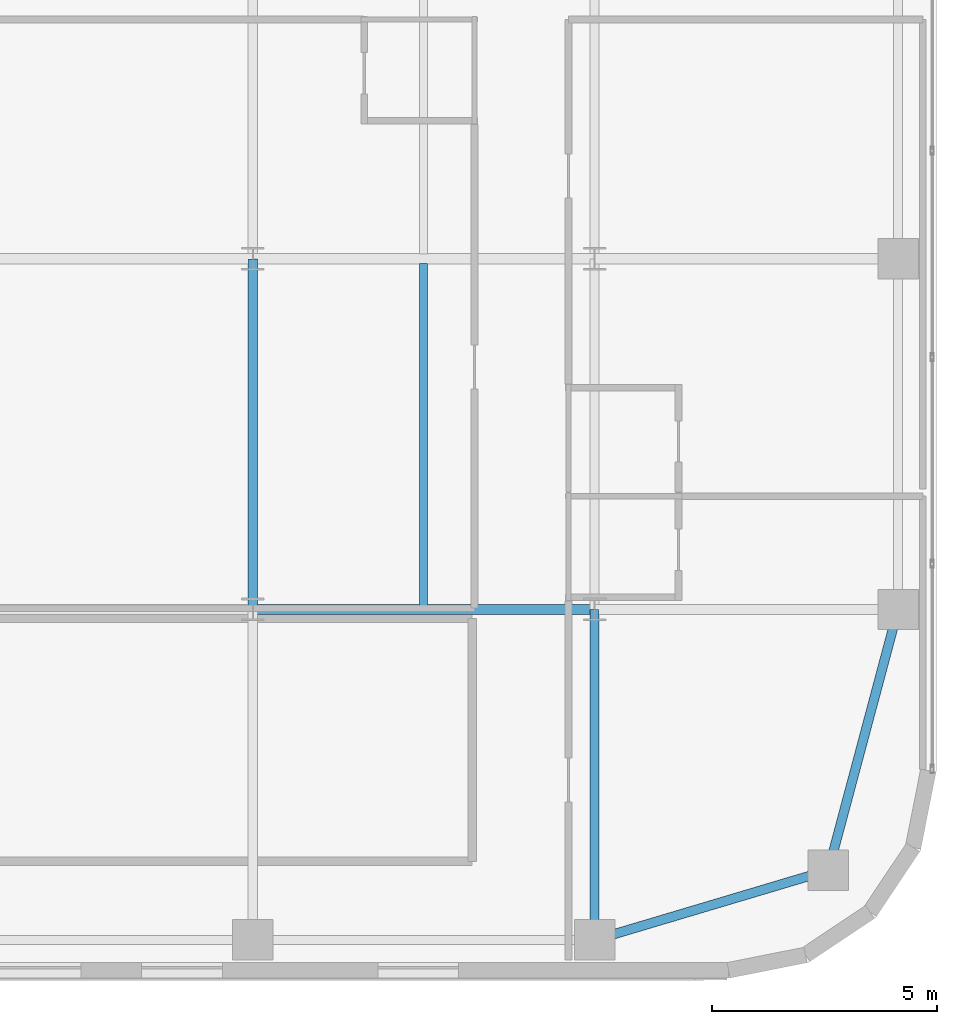
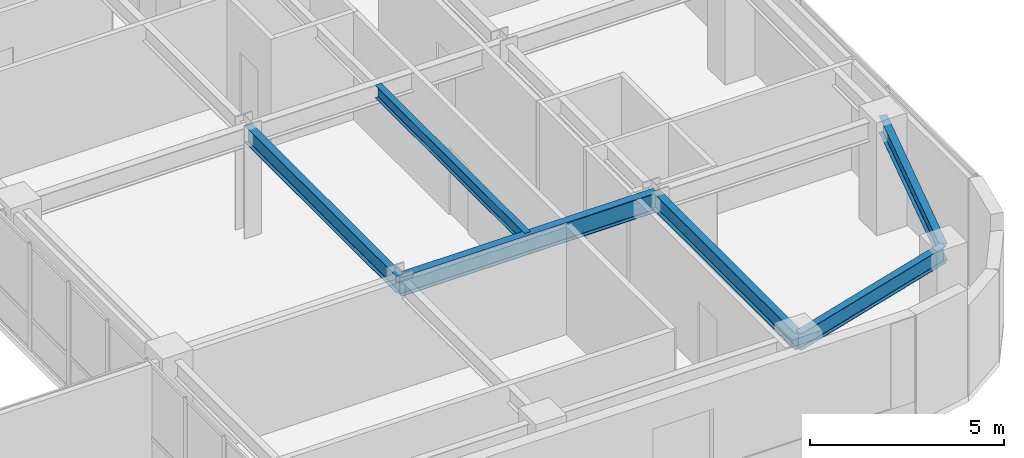
# One storey, part 11 of 31: 6 beams.
"""IFC4 building model written with IfcOpenShell, lengths in metres."""

from ifc_helpers import new_model, si_unit, direction, frame, origin, origin_2d, place, context, subcontext, project, spatial, i_section, extrude, source, transform, mapped, material, material_profile, profile_set, type_object, type_shapes, element, save


model = new_model("IFC4")

# Units and contexts
model_context = context("Model", 3, precision=1e-05, world=origin(), true_north=direction((0.0, 1.0)))
body_context = subcontext(model_context, "Body", "Model", "MODEL_VIEW")
ifc_project = project(units=[si_unit("LENGTHUNIT", "METRE"), si_unit("AREAUNIT", "SQUARE_METRE"), si_unit("VOLUMEUNIT", "CUBIC_METRE"), si_unit("PLANEANGLEUNIT", "RADIAN"), si_unit("MASSUNIT", "GRAM", prefix="KILO")], contexts=[model_context])

# Site, building, storey
site_placement = place(None, origin())
site = spatial("IfcSite", under=ifc_project, at=site_placement, CompositionType="ELEMENT")
building_placement = place(site_placement, origin())
building = spatial("IfcBuilding", under=site, at=building_placement, Name="Tolvann Quenvar Hotel", CompositionType="ELEMENT")
storey_placement = place(building_placement, frame((0.0, 0.0, 125.75)))
storey = spatial("IfcBuildingStorey", under=building, at=storey_placement, Name="L32", CompositionType="ELEMENT", Elevation=125.75)

# Beams
ifc_material = material(Name="Steel Grade 350", Category="steel")
ifc_material_profile_1 = material_profile(ifc_material, i_section(OverallWidth=0.208984375, OverallDepth=0.528076171875, WebThickness=0.009521484375, FlangeThickness=0.01318359375, FilletRadius=0.013916015625, at=origin_2d()), Name="530UB82")
ifc_profile_set_1 = profile_set([ifc_material_profile_1], Name="Steel Grade 350")
beam_type_1 = type_object("IfcBeamType", Name="BM_SPAND_530UB82", PredefinedType="SPANDREL", material=ifc_profile_set_1)
shared_shape_1 = source(origin(), body_context, "Body", "SweptSolid", [
    extrude(i_section(OverallWidth=0.208984375, OverallDepth=0.528076171875, WebThickness=0.009521484375, FlangeThickness=0.01318359375, FilletRadius=0.013916015625, at=origin_2d()), origin(), (0.0, 0.0, 1.0), 5.42626953125),
])
beam_1_placement = place(storey_placement, frame((49.39990234375, 0.85009765625, 3.10595703125), z_axis=(0.958344815522, 0.285613750654, 0.0), x_axis=(-0.285613750654, 0.958344815522, 0.0)))
element("IfcBeam", 1, at=beam_1_placement, inside=storey, type_object=beam_type_1, Name="BM-L32-EW-2-I2-J2", PredefinedType="SPANDREL", context=body_context, shape_type="MappedRepresentation", body=[
    mapped(shared_shape_1, transform((0.0, 0.0, 0.0), x_axis=(1.0, 0.0, 0.0), y_axis=(0.0, 1.0, 0.0), z_axis=(0.0, 0.0, 1.0), scale=1.0)),
])
ifc_material_profile_2 = material_profile(ifc_material, i_section(OverallWidth=0.22900390625, OverallDepth=0.612060546875, WebThickness=0.011962890625, FlangeThickness=0.01953125, FilletRadius=0.013916015625, at=origin_2d()), Name="610UB125")
ifc_profile_set_2 = profile_set([ifc_material_profile_2], Name="Steel Grade 350")
beam_type_2 = type_object("IfcBeamType", Name="BM_GIRD_610UB125", PredefinedType="BEAM", material=ifc_profile_set_2)
shared_shape_2 = source(origin(), body_context, "Body", "SweptSolid", [
    extrude(i_section(OverallWidth=0.22900390625, OverallDepth=0.612060546875, WebThickness=0.011962890625, FlangeThickness=0.01953125, FilletRadius=0.013916015625, at=origin_2d()), origin(), (0.0, 0.0, 1.0), 7.599853515625),
])
type_shapes(beam_type_2, [shared_shape_2])
beam_2_placement = place(storey_placement, frame((41.800048828125, 8.199951171875, 3.06396484375), z_axis=(1.0, 0.0, 0.0), x_axis=(0.0, 1.0, 0.0)))
element("IfcBeam", 2, at=beam_2_placement, inside=storey, type_object=beam_type_2, Name="BM-L32-EW-3-H3-I3", PredefinedType="BEAM", context=body_context, shape_type="MappedRepresentation", body=[
    mapped(shared_shape_2, transform((0.0, 0.0, 0.0), x_axis=(1.0, 0.0, 0.0), y_axis=(0.0, 1.0, 0.0), z_axis=(0.0, 0.0, 1.0), scale=1.0)),
])
shared_shape_3 = source(origin(), body_context, "Body", "SweptSolid", [
    extrude(i_section(OverallWidth=0.208984375, OverallDepth=0.528076171875, WebThickness=0.009521484375, FlangeThickness=0.01318359375, FilletRadius=0.013916015625, at=origin_2d()), origin(), (0.0, 0.0, 1.0), 6.00341796875),
])
type_shapes(beam_type_1, [shared_shape_1, shared_shape_3])
beam_3_placement = place(storey_placement, frame((54.60009765625, 2.39990234375, 3.10595703125), z_axis=(0.258148586649, 0.966105225745, 0.0), x_axis=(-0.966105225745, 0.258148586649, 0.0)))
element("IfcBeam", 3, at=beam_3_placement, inside=storey, type_object=beam_type_1, Name="BM-L32-NS-J2-J3", PredefinedType="SPANDREL", context=body_context, shape_type="MappedRepresentation", body=[
    mapped(shared_shape_3, transform((0.0, 0.0, 0.0), x_axis=(1.0, 0.0, 0.0), y_axis=(0.0, 1.0, 0.0), z_axis=(0.0, 0.0, 1.0), scale=1.0)),
])
ifc_material_profile_3 = material_profile(ifc_material, i_section(OverallWidth=0.208984375, OverallDepth=0.532958984375, WebThickness=0.01025390625, FlangeThickness=0.015625, FilletRadius=0.013916015625, at=origin_2d()), Name="530UB92")
ifc_profile_set_3 = profile_set([ifc_material_profile_3], Name="Steel Grade 350")
beam_type_3 = type_object("IfcBeamType", Name="BM_GIRD_530UB92", PredefinedType="BEAM", material=ifc_profile_set_3)
shared_shape_4 = source(origin(), body_context, "Body", "SweptSolid", [
    extrude(i_section(OverallWidth=0.208984375, OverallDepth=0.532958984375, WebThickness=0.01025390625, FlangeThickness=0.015625, FilletRadius=0.013916015625, at=origin_2d()), origin(), (0.0, 0.0, 1.0), 7.349853515625),
])
beam_4_placement = place(storey_placement, frame((49.39990234375, 0.85009765625, 3.103515625), z_axis=(0.0, 1.0, 0.0), x_axis=(-1.0, 0.0, 0.0)))
element("IfcBeam", 4, at=beam_4_placement, inside=storey, type_object=beam_type_3, Name="BM-L32-NS-I2-I3", PredefinedType="BEAM", context=body_context, shape_type="MappedRepresentation", body=[
    mapped(shared_shape_4, transform((0.0, 0.0, 0.0), x_axis=(1.0, 0.0, 0.0), y_axis=(0.0, 1.0, 0.0), z_axis=(0.0, 0.0, 1.0), scale=1.0)),
])
shared_shape_5 = source(origin(), body_context, "Body", "SweptSolid", [
    extrude(i_section(OverallWidth=0.208984375, OverallDepth=0.532958984375, WebThickness=0.01025390625, FlangeThickness=0.015625, FilletRadius=0.013916015625, at=origin_2d()), origin(), (0.0, 0.0, 1.0), 7.800048828125),
])
type_shapes(beam_type_3, [shared_shape_4, shared_shape_5])
beam_5_placement = place(storey_placement, frame((41.800048828125, 8.199951171875, 3.103515625), z_axis=(0.0, 1.0, 0.0), x_axis=(-1.0, 0.0, 0.0)))
element("IfcBeam", 5, at=beam_5_placement, inside=storey, type_object=beam_type_3, Name="BM-L32-NS-H3-H4", PredefinedType="BEAM", context=body_context, shape_type="MappedRepresentation", body=[
    mapped(shared_shape_5, transform((0.0, 0.0, 0.0), x_axis=(1.0, 0.0, 0.0), y_axis=(0.0, 1.0, 0.0), z_axis=(0.0, 0.0, 1.0), scale=1.0)),
])
ifc_material_profile_4 = material_profile(ifc_material, i_section(OverallWidth=0.177978515625, OverallDepth=0.406005859375, WebThickness=0.0078125, FlangeThickness=0.0126953125, FilletRadius=0.011474609375, at=origin_2d()), Name="410UB60")
ifc_profile_set_4 = profile_set([ifc_material_profile_4], Name="Steel Grade 350")
beam_type_4 = type_object("IfcBeamType", Name="BM_JOIST_410UB60", PredefinedType="JOIST", material=ifc_profile_set_4)
shared_shape_6 = source(origin(), body_context, "Body", "SweptSolid", [
    extrude(i_section(OverallWidth=0.177978515625, OverallDepth=0.406005859375, WebThickness=0.0078125, FlangeThickness=0.0126953125, FilletRadius=0.011474609375, at=origin_2d()), origin(), (0.0, 0.0, 1.0), 7.691650390625),
])
type_shapes(beam_type_4, [shared_shape_6])
beam_6_placement = place(storey_placement, frame((45.60009765625, 8.199951171875, 3.1669921875), z_axis=(0.0, 1.0, 0.0), x_axis=(-1.0, 0.0, 0.0)))
element("IfcBeam", 6, at=beam_6_placement, inside=storey, type_object=beam_type_4, Name="BJ-L32-456-82", PredefinedType="JOIST", context=body_context, shape_type="MappedRepresentation", body=[
    mapped(shared_shape_6, transform((0.0, 0.0, 0.0), x_axis=(1.0, 0.0, 0.0), y_axis=(0.0, 1.0, 0.0), z_axis=(0.0, 0.0, 1.0), scale=1.0)),
])

save(model, "model.ifc")
